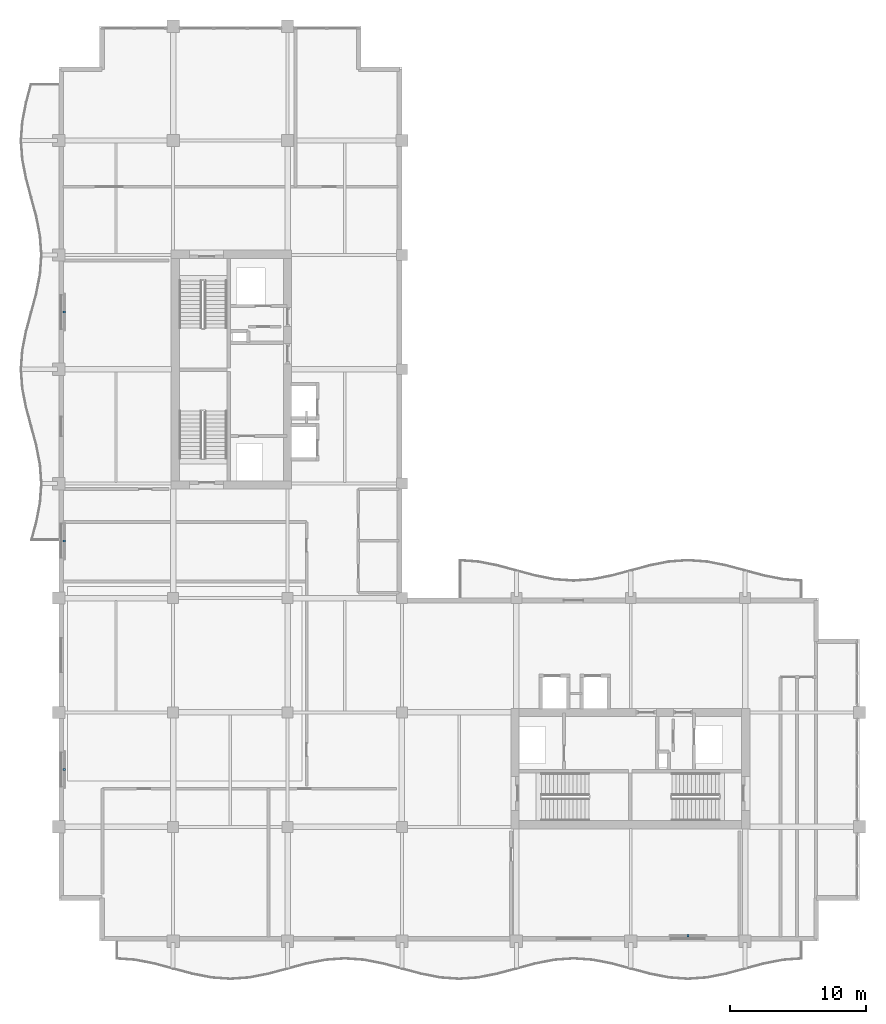
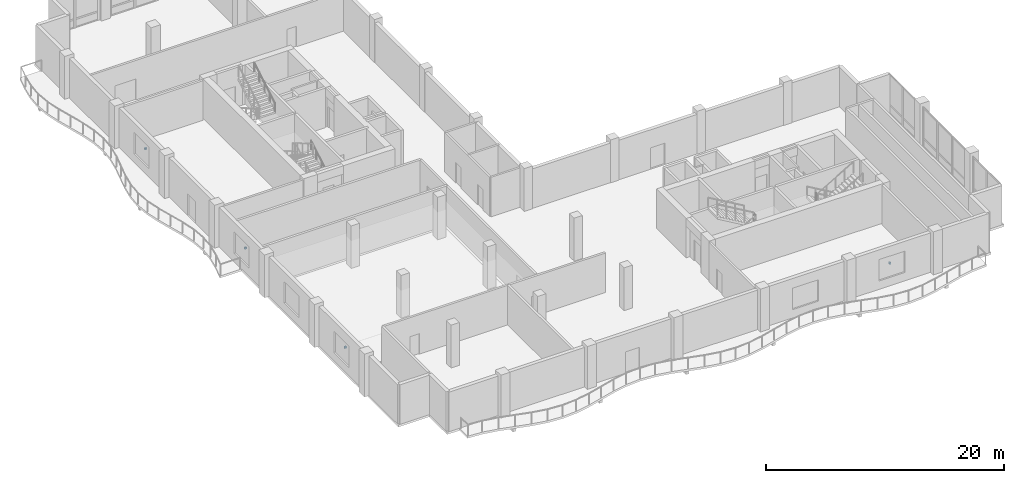
# One storey, part 12 of 15: 4 discrete accessories.
"""IFC4 building model written with IfcOpenShell, lengths in metres."""

import ifcopenshell
import ifcopenshell.guid

model = None  # the IFC model being written
_history = None  # IfcOwnerHistory: only IFC2X3 demands one
_inside = {}  # id of a spatial element -> (the spatial element, [elements in it])
_under = {}  # id of a project, library or spatial element -> (it, [spatial elements below it])
_declared = {}  # id of a project -> (the project, [libraries it declares])
_typed = {}  # id of a type object -> (the type object, [elements of that type])
_made_of = {}  # id of a material, layer set ... -> (it, [elements and type objects made of it])


def new_model(schema):
    """Start an empty IFC model of exactly this schema.

    Asked for "IFC4X3", IfcOpenShell would pick the latest addendum, in which some entities
    have other attributes; the version numbers below select the first issue.
    IFC2X3 requires an IfcOwnerHistory on every rooted entity: one is made here for all.
    """
    global model, _history
    if schema == "IFC4X3":
        model = ifcopenshell.file(schema_version=(4, 3, 0, 0))
    else:
        model = ifcopenshell.file(schema=schema)
    _inside.clear()
    _under.clear()
    _declared.clear()
    _typed.clear()
    _made_of.clear()
    _history = None
    if model.schema == "IFC2X3":
        org = make("IfcOrganization", Name="unknown")
        user = make(
            "IfcPersonAndOrganization",
            ThePerson=make("IfcPerson", FamilyName="unknown"),
            TheOrganization=org,
        )
        app = make(
            "IfcApplication",
            ApplicationDeveloper=org,
            Version="unknown",
            ApplicationFullName="unknown",
            ApplicationIdentifier="unknown",
        )
        _history = make(
            "IfcOwnerHistory",
            OwningUser=user,
            OwningApplication=app,
            ChangeAction="ADDED",
            CreationDate=0,
        )
    return model


def make(cls, **values):
    """One entity of the class cls with the attributes given. An attribute that is None is left unset."""
    return model.create_entity(
        cls, **{name: value for name, value in values.items() if value is not None}
    )


def rooted(cls, **values):
    """An entity with a GlobalId (a new one), such as an element, a storey or a relation."""
    return make(cls, GlobalId=ifcopenshell.guid.new(), OwnerHistory=_history, **values)


def si_unit(unit_type, name, prefix=None):
    """IfcSIUnit, for example si_unit("LENGTHUNIT", "METRE", prefix="MILLI")."""
    return make("IfcSIUnit", UnitType=unit_type, Prefix=prefix, Name=name)


def assignment(units):
    """IfcUnitAssignment: the units of a project."""
    return None if units is None else make("IfcUnitAssignment", Units=units)


def point(xyz):
    """IfcCartesianPoint."""
    return None if xyz is None else make("IfcCartesianPoint", Coordinates=xyz)


def direction(xyz):
    """IfcDirection."""
    return None if xyz is None else make("IfcDirection", DirectionRatios=xyz)


def frame(location, z_axis=None, x_axis=None):
    """IfcAxis2Placement3D, a coordinate frame: its origin and axes. An axis left out is left unset."""
    return make(
        "IfcAxis2Placement3D",
        Location=point(location),
        Axis=direction(z_axis),
        RefDirection=direction(x_axis),
    )


def frame_2d(location, x_axis=None):
    """IfcAxis2Placement2D, a coordinate frame in the plane: its origin and x axis."""
    return make(
        "IfcAxis2Placement2D", Location=point(location), RefDirection=direction(x_axis)
    )


def origin():
    """The frame at (0, 0, 0) with its axes left unset."""
    return frame((0.0, 0.0, 0.0))


def origin_2d():
    """The frame at (0, 0) in the plane with its x axis left unset."""
    return frame_2d((0.0, 0.0))


def place(relative_to, where):
    """IfcLocalPlacement: puts the frame where relative to a parent placement (None: the world)."""
    return make(
        "IfcLocalPlacement", PlacementRelTo=relative_to, RelativePlacement=where
    )


def context(
    kind, dimensions, precision=None, world=None, true_north=None, identifier=None
):
    """IfcGeometricRepresentationContext, for example the 3D "Model" context."""
    return make(
        "IfcGeometricRepresentationContext",
        ContextIdentifier=identifier,
        ContextType=kind,
        CoordinateSpaceDimension=dimensions,
        Precision=precision,
        WorldCoordinateSystem=world,
        TrueNorth=true_north,
    )


def subcontext(parent, identifier, kind, view, scale=None):
    """IfcGeometricRepresentationSubContext, for example "Body" below "Model"."""
    return make(
        "IfcGeometricRepresentationSubContext",
        ContextIdentifier=identifier,
        ContextType=kind,
        ParentContext=parent,
        TargetScale=scale,
        TargetView=view,
    )


def project(units=None, contexts=None):
    """IfcProject with its units and contexts."""
    return rooted(
        "IfcProject",
        Name="project",
        RepresentationContexts=contexts,
        UnitsInContext=assignment(units),
    )


def spatial(cls, under=None, at=None, **own):
    """A site, building, storey or space (cls), placed at a placement, below another one or the project."""
    s = rooted(cls, ObjectPlacement=at, **own)
    if under is not None:
        _under.setdefault(under.id(), (under, []))[1].append(s)
    return s


def profile(cls, at=None, kind="AREA", **sizes):
    """A parametric profile (cls). Its sizes go by their IFC names, for example OverallWidth=200.0."""
    return make(cls, ProfileType=kind, Position=at, **sizes)


def rectangle(**sizes):
    """IfcRectangleProfileDef."""
    return profile("IfcRectangleProfileDef", **sizes)


def extrude(swept, where, along, depth):
    """IfcExtrudedAreaSolid: the profile swept, set in the frame where, extruded along a direction by depth."""
    return make(
        "IfcExtrudedAreaSolid",
        SweptArea=swept,
        Position=where,
        ExtrudedDirection=direction(along),
        Depth=depth,
    )


def shape(context_of_items, identifier, shape_type, items):
    """IfcShapeRepresentation: the items that make up one representation, for example the "Body"."""
    return make(
        "IfcShapeRepresentation",
        ContextOfItems=context_of_items,
        RepresentationIdentifier=identifier,
        RepresentationType=shape_type,
        Items=items,
    )


def material(Name=None, Category=None):
    """IfcMaterial."""
    return make("IfcMaterial", Name=Name, Category=Category)


def made_of(thing, what):
    """Note that an element or type object is made of a material, layer set ...; save() writes the relation."""
    if what is not None:
        _made_of.setdefault(what.id(), (what, []))[1].append(thing)
    return thing


def type_object(cls, material=None, **own):
    """A type object (cls), such as IfcWallType, which elements share."""
    return made_of(rooted(cls, **own), material)


def element(
    cls,
    number,
    at=None,
    inside=None,
    cuts=None,
    type_object=None,
    material=None,
    context=None,
    identifier="Body",
    shape_type=None,
    held_by="IfcProductDefinitionShape",
    body=None,
    shapes=None,
    **own,
):
    """One element of the class cls, such as IfcWall. Its Tag is "e" and its number.

    at: its placement. inside: the storey or other place that contains it. cuts: it is an
    opening in that element (IfcRelVoidsElement). A single representation is given by context,
    identifier, shape_type and body (its items); several are given by shapes. held_by: the class
    of the entity that holds the representations. save() writes the other relations.
    """
    e = rooted(cls, Tag="e%d" % number, ObjectPlacement=at, **own)
    if body is not None:
        shapes = [shape(context, identifier, shape_type, body)]
    if shapes is not None:
        e.Representation = make(held_by, Representations=shapes)
    if inside is not None:
        _inside.setdefault(inside.id(), (inside, []))[1].append(e)
    if cuts is not None:
        rooted(
            "IfcRelVoidsElement", RelatingBuildingElement=cuts, RelatedOpeningElement=e
        )
    if type_object is not None:
        _typed.setdefault(type_object.id(), (type_object, []))[1].append(e)
    return made_of(e, material)


def aggregate(whole, parts):
    """IfcRelAggregates: a whole, such as a stair, and the parts it consists of."""
    return rooted("IfcRelAggregates", RelatingObject=whole, RelatedObjects=parts)


def save(model, path):
    """Write the relations noted so far, then the file.

    IfcRelAggregates (storeys below a building ...), IfcRelContainedInSpatialStructure (elements
    in a storey), IfcRelDefinesByType, IfcRelAssociatesMaterial and IfcRelDeclares: one each for
    every whole, place, type object, material and project.
    """
    for whole, parts in _under.values():
        aggregate(whole, parts)
    for where, things in _inside.values():
        rooted(
            "IfcRelContainedInSpatialStructure",
            RelatedElements=things,
            RelatingStructure=where,
        )
    for kind, things in _typed.values():
        rooted("IfcRelDefinesByType", RelatedObjects=things, RelatingType=kind)
    for what, things in _made_of.values():
        rooted("IfcRelAssociatesMaterial", RelatedObjects=things, RelatingMaterial=what)
    for by, libraries in _declared.values():
        rooted("IfcRelDeclares", RelatingContext=by, RelatedDefinitions=libraries)
    model.write(path)


model = new_model("IFC4")

# Units and contexts
model_context = context("Model", 3, precision=1e-05, world=origin(), true_north=direction((0.0, 1.0)))
body_context = subcontext(model_context, "Body", "Model", "MODEL_VIEW")
ifc_project = project(units=[si_unit("LENGTHUNIT", "METRE"), si_unit("AREAUNIT", "SQUARE_METRE"), si_unit("VOLUMEUNIT", "CUBIC_METRE"), si_unit("PLANEANGLEUNIT", "RADIAN"), si_unit("MASSUNIT", "GRAM", prefix="KILO")], contexts=[model_context])

# Site, building, storey
site_placement = place(None, origin())
site = spatial("IfcSite", under=ifc_project, at=site_placement, CompositionType="ELEMENT")
building_placement = place(site_placement, origin())
building = spatial("IfcBuilding", under=site, at=building_placement, Name="Koriwani Terraces Tower", CompositionType="ELEMENT")
storey_placement = place(building_placement, frame((0.0, 0.0, 290.39990234375)))
storey = spatial("IfcBuildingStorey", under=building, at=storey_placement, Name="L72", CompositionType="ELEMENT", Elevation=290.39990234375)

# Discrete accessories
ifc_material = material(Name="Steel ASTM A572 Grade 50", Category="steel")
discrete_accessory_type = type_object("IfcDiscreteAccessoryType", Name="BAGUETTE_STANDOFF_BRACKET", PredefinedType="BRACKET", material=ifc_material)
for number, where, z_axis, x_axis, name in (
    (1, (8.7900390625, 21.0, 1.93505859375), (0.0, 0.0, 1.0), (0.0, 1.0, 0.0), "L72 Terracotta Baguette Bracket (W-3)"),
    (2, (8.7900390625, 37.800048828125, 1.93505859375), (0.0, 0.0, 1.0), (0.0, 1.0, 0.0), "L72 Terracotta Baguette Bracket (W-9)"),
    (3, (8.7900390625, 54.60009765625, 1.93505859375), (0.0, 0.0, 1.0), (0.0, 1.0, 0.0), "L72 Terracotta Baguette Bracket (W-15)"),
    (4, (54.60009765625, 8.7900390625, 1.93505859375), (0.0, 0.0, 1.0), (-1.0, 0.0, 0.0), "L72 Terracotta Baguette Bracket (S-15)"),
):
    element("IfcDiscreteAccessory", number, at=place(storey_placement, frame(where, z_axis=z_axis, x_axis=x_axis)), inside=storey, type_object=discrete_accessory_type, Name=name, PredefinedType="BRACKET", context=body_context, shape_type="SweptSolid", body=[
        extrude(rectangle(XDim=0.159912109375, YDim=0.199951171875, at=origin_2d()), origin(), (0.0, 0.0, 1.0), 0.179931640625),
    ])

save(model, "model.ifc")
